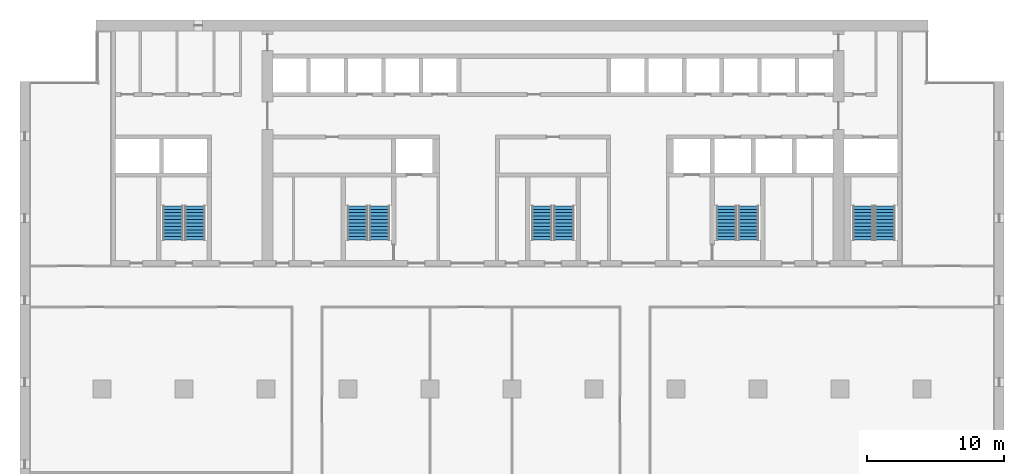
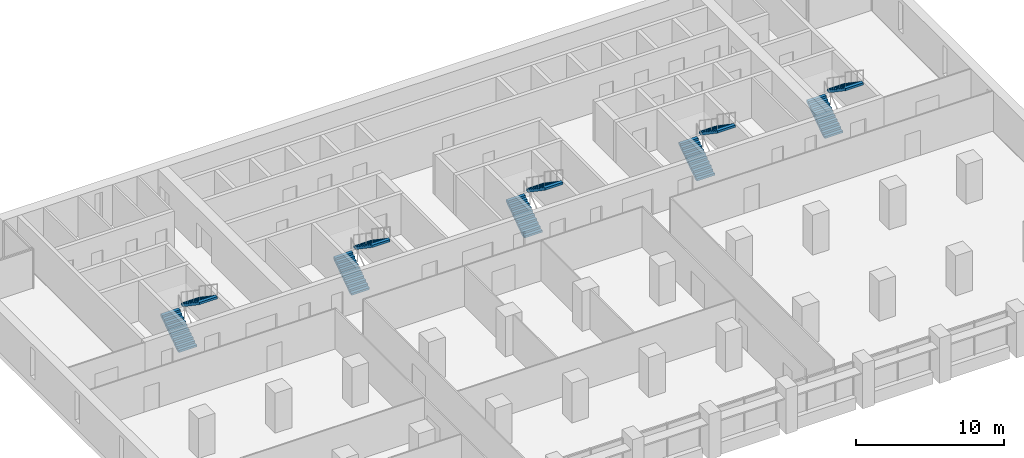
# One storey, part 12 of 15: 10 stair flights, 5 elements without a shape of their own.
"""IFC4 building model written with IfcOpenShell, lengths in metres."""

from ifc_helpers import new_model, si_unit, direction, frame, origin, place, context, subcontext, project, spatial, polyline, outline, extrude, material, type_object, element, aggregate, save


model = new_model("IFC4")

# Units and contexts
model_context = context("Model", 3, precision=1e-05, world=origin(), true_north=direction((0.0, 1.0)))
body_context = subcontext(model_context, "Body", "Model", "MODEL_VIEW")
ifc_project = project(units=[si_unit("LENGTHUNIT", "METRE"), si_unit("AREAUNIT", "SQUARE_METRE"), si_unit("VOLUMEUNIT", "CUBIC_METRE"), si_unit("PLANEANGLEUNIT", "RADIAN"), si_unit("MASSUNIT", "GRAM", prefix="KILO")], contexts=[model_context])

# Site, building, storey
site_placement = place(None, origin())
site = spatial("IfcSite", under=ifc_project, at=site_placement, CompositionType="ELEMENT")
building_placement = place(site_placement, origin())
building = spatial("IfcBuilding", under=site, at=building_placement, Name="Calvaro Tower", CompositionType="ELEMENT")
storey_placement = place(building_placement, frame((0.0, 0.0, 125.0)))
storey = spatial("IfcBuildingStorey", under=building, at=storey_placement, Name="L31", CompositionType="ELEMENT", Elevation=125.0)

# Stair, stair flights
ifc_material_1 = material(Name="Concrete C40/50", Category="concrete")
stair_type = type_object("IfcStairType", Name="Exit stair 1400 2 flights", PredefinedType="HALF_TURN_STAIR", material=ifc_material_1)
stair_1_placement = place(storey_placement, origin())
stair_1 = element("IfcStair", 1, at=stair_1_placement, inside=storey, type_object=stair_type, Name="Exit stair S1", PredefinedType="HALF_TURN_STAIR")
ifc_material_2 = material(Name="Concrete C40/50", Category="concrete")
stair_flight_type = type_object("IfcStairFlightType", Name="Stair flight", PredefinedType="STRAIGHT", material=ifc_material_2)
stair_flight_1_placement = place(storey_placement, frame((11.199951171875, 29.89990234375, 0.0), z_axis=(0.0, 0.0, 1.0), x_axis=(0.0, 1.0, 0.0)))
stair_flight_1 = element("IfcStairFlight", 2, at=stair_flight_1_placement, type_object=stair_flight_type, Name="Exit stair 1, flight 1", NumberOfRisers=11, NumberOfTreads=10, PredefinedType="STRAIGHT", RiserHeight=0.170454545, TreadLength=0.25, context=body_context, shape_type="SweptSolid", body=[
    extrude(outline(polyline([(0.0, 0.0), (0.0, 0.17041015625), (0.25, 0.17041015625), (0.25, 0.3408203125), (0.5, 0.3408203125), (0.5, 0.511474609375), (0.75, 0.511474609375), (0.75, 0.681884765625), (1.0, 0.681884765625), (1.0, 0.852294921875), (1.25, 0.852294921875), (1.25, 1.022705078125), (1.5, 1.022705078125), (1.5, 1.193115234375), (1.75, 1.193115234375), (1.75, 1.363525390625), (2.0, 1.363525390625), (2.0, 1.5341796875), (2.25, 1.5341796875), (2.25, 1.70458984375), (2.5, 1.70458984375), (2.5, 1.875), (2.5, 1.523193359375), (0.26611328125, 0.0), (0.0, 0.0)])), frame((0.0, 0.699951171875, 0.0), z_axis=(0.0, -1.0, 0.0), x_axis=(1.0, 0.0, 0.0)), (0.0, 0.0, 1.0), 1.39990234375),
])
stair_flight_2_placement = place(storey_placement, frame((12.800048828125, 32.39990234375, 1.875), z_axis=(0.0, 0.0, 1.0), x_axis=(0.0, -1.0, 0.0)))
stair_flight_2 = element("IfcStairFlight", 3, at=stair_flight_2_placement, type_object=stair_flight_type, Name="Exit stair 1, flight 2", NumberOfRisers=11, NumberOfTreads=10, PredefinedType="STRAIGHT", RiserHeight=0.170454545, TreadLength=0.25, context=body_context, shape_type="SweptSolid", body=[
    extrude(outline(polyline([(0.0, 0.0), (0.0, 0.17041015625), (0.25, 0.17041015625), (0.25, 0.3408203125), (0.5, 0.3408203125), (0.5, 0.511474609375), (0.75, 0.511474609375), (0.75, 0.681884765625), (1.0, 0.681884765625), (1.0, 0.852294921875), (1.25, 0.852294921875), (1.25, 1.022705078125), (1.5, 1.022705078125), (1.5, 1.193115234375), (1.75, 1.193115234375), (1.75, 1.363525390625), (2.0, 1.363525390625), (2.0, 1.5341796875), (2.25, 1.5341796875), (2.25, 1.70458984375), (2.5, 1.70458984375), (2.5, 1.875), (2.5, 1.523193359375), (0.26611328125, 0.0), (0.0, 0.0)])), frame((0.0, 0.699951171875, 0.0), z_axis=(0.0, -1.0, 0.0), x_axis=(1.0, 0.0, 0.0)), (0.0, 0.0, 1.0), 1.39990234375),
])
aggregate(stair_1, [stair_flight_1, stair_flight_2])

stair_2_placement = place(storey_placement, origin())
stair_2 = element("IfcStair", 4, at=stair_2_placement, inside=storey, type_object=stair_type, Name="Exit stair S2", PredefinedType="HALF_TURN_STAIR")
stair_flight_3_placement = place(storey_placement, frame((24.699951171875, 29.89990234375, 0.0), z_axis=(0.0, 0.0, 1.0), x_axis=(0.0, 1.0, 0.0)))
stair_flight_3 = element("IfcStairFlight", 5, at=stair_flight_3_placement, type_object=stair_flight_type, Name="Exit stair 2, flight 1", NumberOfRisers=11, NumberOfTreads=10, PredefinedType="STRAIGHT", RiserHeight=0.170454545, TreadLength=0.25, context=body_context, shape_type="SweptSolid", body=[
    extrude(outline(polyline([(0.0, 0.0), (0.0, 0.17041015625), (0.25, 0.17041015625), (0.25, 0.3408203125), (0.5, 0.3408203125), (0.5, 0.511474609375), (0.75, 0.511474609375), (0.75, 0.681884765625), (1.0, 0.681884765625), (1.0, 0.852294921875), (1.25, 0.852294921875), (1.25, 1.022705078125), (1.5, 1.022705078125), (1.5, 1.193115234375), (1.75, 1.193115234375), (1.75, 1.363525390625), (2.0, 1.363525390625), (2.0, 1.5341796875), (2.25, 1.5341796875), (2.25, 1.70458984375), (2.5, 1.70458984375), (2.5, 1.875), (2.5, 1.523193359375), (0.26611328125, 0.0), (0.0, 0.0)])), frame((0.0, 0.699951171875, 0.0), z_axis=(0.0, -1.0, 0.0), x_axis=(1.0, 0.0, 0.0)), (0.0, 0.0, 1.0), 1.39990234375),
])
stair_flight_4_placement = place(storey_placement, frame((26.300048828125, 32.39990234375, 1.875), z_axis=(0.0, 0.0, 1.0), x_axis=(0.0, -1.0, 0.0)))
stair_flight_4 = element("IfcStairFlight", 6, at=stair_flight_4_placement, type_object=stair_flight_type, Name="Exit stair 2, flight 2", NumberOfRisers=11, NumberOfTreads=10, PredefinedType="STRAIGHT", RiserHeight=0.170454545, TreadLength=0.25, context=body_context, shape_type="SweptSolid", body=[
    extrude(outline(polyline([(0.0, 0.0), (0.0, 0.17041015625), (0.25, 0.17041015625), (0.25, 0.3408203125), (0.5, 0.3408203125), (0.5, 0.511474609375), (0.75, 0.511474609375), (0.75, 0.681884765625), (1.0, 0.681884765625), (1.0, 0.852294921875), (1.25, 0.852294921875), (1.25, 1.022705078125), (1.5, 1.022705078125), (1.5, 1.193115234375), (1.75, 1.193115234375), (1.75, 1.363525390625), (2.0, 1.363525390625), (2.0, 1.5341796875), (2.25, 1.5341796875), (2.25, 1.70458984375), (2.5, 1.70458984375), (2.5, 1.875), (2.5, 1.523193359375), (0.26611328125, 0.0), (0.0, 0.0)])), frame((0.0, 0.699951171875, 0.0), z_axis=(0.0, -1.0, 0.0), x_axis=(1.0, 0.0, 0.0)), (0.0, 0.0, 1.0), 1.39990234375),
])
aggregate(stair_2, [stair_flight_3, stair_flight_4])

stair_3_placement = place(storey_placement, origin())
stair_3 = element("IfcStair", 7, at=stair_3_placement, inside=storey, type_object=stair_type, Name="Exit stair S3", PredefinedType="HALF_TURN_STAIR")
stair_flight_5_placement = place(storey_placement, frame((38.199951171875, 29.89990234375, 0.0), z_axis=(0.0, 0.0, 1.0), x_axis=(0.0, 1.0, 0.0)))
stair_flight_5 = element("IfcStairFlight", 8, at=stair_flight_5_placement, type_object=stair_flight_type, Name="Exit stair 3, flight 1", NumberOfRisers=11, NumberOfTreads=10, PredefinedType="STRAIGHT", RiserHeight=0.170454545, TreadLength=0.25, context=body_context, shape_type="SweptSolid", body=[
    extrude(outline(polyline([(0.0, 0.0), (0.0, 0.17041015625), (0.25, 0.17041015625), (0.25, 0.3408203125), (0.5, 0.3408203125), (0.5, 0.511474609375), (0.75, 0.511474609375), (0.75, 0.681884765625), (1.0, 0.681884765625), (1.0, 0.852294921875), (1.25, 0.852294921875), (1.25, 1.022705078125), (1.5, 1.022705078125), (1.5, 1.193115234375), (1.75, 1.193115234375), (1.75, 1.363525390625), (2.0, 1.363525390625), (2.0, 1.5341796875), (2.25, 1.5341796875), (2.25, 1.70458984375), (2.5, 1.70458984375), (2.5, 1.875), (2.5, 1.523193359375), (0.26611328125, 0.0), (0.0, 0.0)])), frame((0.0, 0.699951171875, 0.0), z_axis=(0.0, -1.0, 0.0), x_axis=(1.0, 0.0, 0.0)), (0.0, 0.0, 1.0), 1.39990234375),
])
stair_flight_6_placement = place(storey_placement, frame((39.800048828125, 32.39990234375, 1.875), z_axis=(0.0, 0.0, 1.0), x_axis=(0.0, -1.0, 0.0)))
stair_flight_6 = element("IfcStairFlight", 9, at=stair_flight_6_placement, type_object=stair_flight_type, Name="Exit stair 3, flight 2", NumberOfRisers=11, NumberOfTreads=10, PredefinedType="STRAIGHT", RiserHeight=0.170454545, TreadLength=0.25, context=body_context, shape_type="SweptSolid", body=[
    extrude(outline(polyline([(0.0, 0.0), (0.0, 0.17041015625), (0.25, 0.17041015625), (0.25, 0.3408203125), (0.5, 0.3408203125), (0.5, 0.511474609375), (0.75, 0.511474609375), (0.75, 0.681884765625), (1.0, 0.681884765625), (1.0, 0.852294921875), (1.25, 0.852294921875), (1.25, 1.022705078125), (1.5, 1.022705078125), (1.5, 1.193115234375), (1.75, 1.193115234375), (1.75, 1.363525390625), (2.0, 1.363525390625), (2.0, 1.5341796875), (2.25, 1.5341796875), (2.25, 1.70458984375), (2.5, 1.70458984375), (2.5, 1.875), (2.5, 1.523193359375), (0.26611328125, 0.0), (0.0, 0.0)])), frame((0.0, 0.699951171875, 0.0), z_axis=(0.0, -1.0, 0.0), x_axis=(1.0, 0.0, 0.0)), (0.0, 0.0, 1.0), 1.39990234375),
])
aggregate(stair_3, [stair_flight_5, stair_flight_6])

stair_4_placement = place(storey_placement, origin())
stair_4 = element("IfcStair", 10, at=stair_4_placement, inside=storey, type_object=stair_type, Name="Exit stair S4", PredefinedType="HALF_TURN_STAIR")
stair_flight_7_placement = place(storey_placement, frame((51.699951171875, 29.89990234375, 0.0), z_axis=(0.0, 0.0, 1.0), x_axis=(0.0, 1.0, 0.0)))
stair_flight_7 = element("IfcStairFlight", 11, at=stair_flight_7_placement, type_object=stair_flight_type, Name="Exit stair 4, flight 1", NumberOfRisers=11, NumberOfTreads=10, PredefinedType="STRAIGHT", RiserHeight=0.170454545, TreadLength=0.25, context=body_context, shape_type="SweptSolid", body=[
    extrude(outline(polyline([(0.0, 0.0), (0.0, 0.17041015625), (0.25, 0.17041015625), (0.25, 0.3408203125), (0.5, 0.3408203125), (0.5, 0.511474609375), (0.75, 0.511474609375), (0.75, 0.681884765625), (1.0, 0.681884765625), (1.0, 0.852294921875), (1.25, 0.852294921875), (1.25, 1.022705078125), (1.5, 1.022705078125), (1.5, 1.193115234375), (1.75, 1.193115234375), (1.75, 1.363525390625), (2.0, 1.363525390625), (2.0, 1.5341796875), (2.25, 1.5341796875), (2.25, 1.70458984375), (2.5, 1.70458984375), (2.5, 1.875), (2.5, 1.523193359375), (0.26611328125, 0.0), (0.0, 0.0)])), frame((0.0, 0.699951171875, 0.0), z_axis=(0.0, -1.0, 0.0), x_axis=(1.0, 0.0, 0.0)), (0.0, 0.0, 1.0), 1.39990234375),
])
stair_flight_8_placement = place(storey_placement, frame((53.300048828125, 32.39990234375, 1.875), z_axis=(0.0, 0.0, 1.0), x_axis=(0.0, -1.0, 0.0)))
stair_flight_8 = element("IfcStairFlight", 12, at=stair_flight_8_placement, type_object=stair_flight_type, Name="Exit stair 4, flight 2", NumberOfRisers=11, NumberOfTreads=10, PredefinedType="STRAIGHT", RiserHeight=0.170454545, TreadLength=0.25, context=body_context, shape_type="SweptSolid", body=[
    extrude(outline(polyline([(0.0, 0.0), (0.0, 0.17041015625), (0.25, 0.17041015625), (0.25, 0.3408203125), (0.5, 0.3408203125), (0.5, 0.511474609375), (0.75, 0.511474609375), (0.75, 0.681884765625), (1.0, 0.681884765625), (1.0, 0.852294921875), (1.25, 0.852294921875), (1.25, 1.022705078125), (1.5, 1.022705078125), (1.5, 1.193115234375), (1.75, 1.193115234375), (1.75, 1.363525390625), (2.0, 1.363525390625), (2.0, 1.5341796875), (2.25, 1.5341796875), (2.25, 1.70458984375), (2.5, 1.70458984375), (2.5, 1.875), (2.5, 1.523193359375), (0.26611328125, 0.0), (0.0, 0.0)])), frame((0.0, 0.699951171875, 0.0), z_axis=(0.0, -1.0, 0.0), x_axis=(1.0, 0.0, 0.0)), (0.0, 0.0, 1.0), 1.39990234375),
])
aggregate(stair_4, [stair_flight_7, stair_flight_8])

stair_5_placement = place(storey_placement, origin())
stair_5 = element("IfcStair", 13, at=stair_5_placement, inside=storey, type_object=stair_type, Name="Exit stair S5", PredefinedType="HALF_TURN_STAIR")
stair_flight_9_placement = place(storey_placement, frame((61.699951171875, 29.89990234375, 0.0), z_axis=(0.0, 0.0, 1.0), x_axis=(0.0, 1.0, 0.0)))
stair_flight_9 = element("IfcStairFlight", 14, at=stair_flight_9_placement, type_object=stair_flight_type, Name="Exit stair 5, flight 1", NumberOfRisers=11, NumberOfTreads=10, PredefinedType="STRAIGHT", RiserHeight=0.170454545, TreadLength=0.25, context=body_context, shape_type="SweptSolid", body=[
    extrude(outline(polyline([(0.0, 0.0), (0.0, 0.17041015625), (0.25, 0.17041015625), (0.25, 0.3408203125), (0.5, 0.3408203125), (0.5, 0.511474609375), (0.75, 0.511474609375), (0.75, 0.681884765625), (1.0, 0.681884765625), (1.0, 0.852294921875), (1.25, 0.852294921875), (1.25, 1.022705078125), (1.5, 1.022705078125), (1.5, 1.193115234375), (1.75, 1.193115234375), (1.75, 1.363525390625), (2.0, 1.363525390625), (2.0, 1.5341796875), (2.25, 1.5341796875), (2.25, 1.70458984375), (2.5, 1.70458984375), (2.5, 1.875), (2.5, 1.523193359375), (0.26611328125, 0.0), (0.0, 0.0)])), frame((0.0, 0.699951171875, 0.0), z_axis=(0.0, -1.0, 0.0), x_axis=(1.0, 0.0, 0.0)), (0.0, 0.0, 1.0), 1.39990234375),
])
stair_flight_10_placement = place(storey_placement, frame((63.300048828125, 32.39990234375, 1.875), z_axis=(0.0, 0.0, 1.0), x_axis=(0.0, -1.0, 0.0)))
stair_flight_10 = element("IfcStairFlight", 15, at=stair_flight_10_placement, type_object=stair_flight_type, Name="Exit stair 5, flight 2", NumberOfRisers=11, NumberOfTreads=10, PredefinedType="STRAIGHT", RiserHeight=0.170454545, TreadLength=0.25, context=body_context, shape_type="SweptSolid", body=[
    extrude(outline(polyline([(0.0, 0.0), (0.0, 0.17041015625), (0.25, 0.17041015625), (0.25, 0.3408203125), (0.5, 0.3408203125), (0.5, 0.511474609375), (0.75, 0.511474609375), (0.75, 0.681884765625), (1.0, 0.681884765625), (1.0, 0.852294921875), (1.25, 0.852294921875), (1.25, 1.022705078125), (1.5, 1.022705078125), (1.5, 1.193115234375), (1.75, 1.193115234375), (1.75, 1.363525390625), (2.0, 1.363525390625), (2.0, 1.5341796875), (2.25, 1.5341796875), (2.25, 1.70458984375), (2.5, 1.70458984375), (2.5, 1.875), (2.5, 1.523193359375), (0.26611328125, 0.0), (0.0, 0.0)])), frame((0.0, 0.699951171875, 0.0), z_axis=(0.0, -1.0, 0.0), x_axis=(1.0, 0.0, 0.0)), (0.0, 0.0, 1.0), 1.39990234375),
])
aggregate(stair_5, [stair_flight_9, stair_flight_10])

save(model, "model.ifc")
